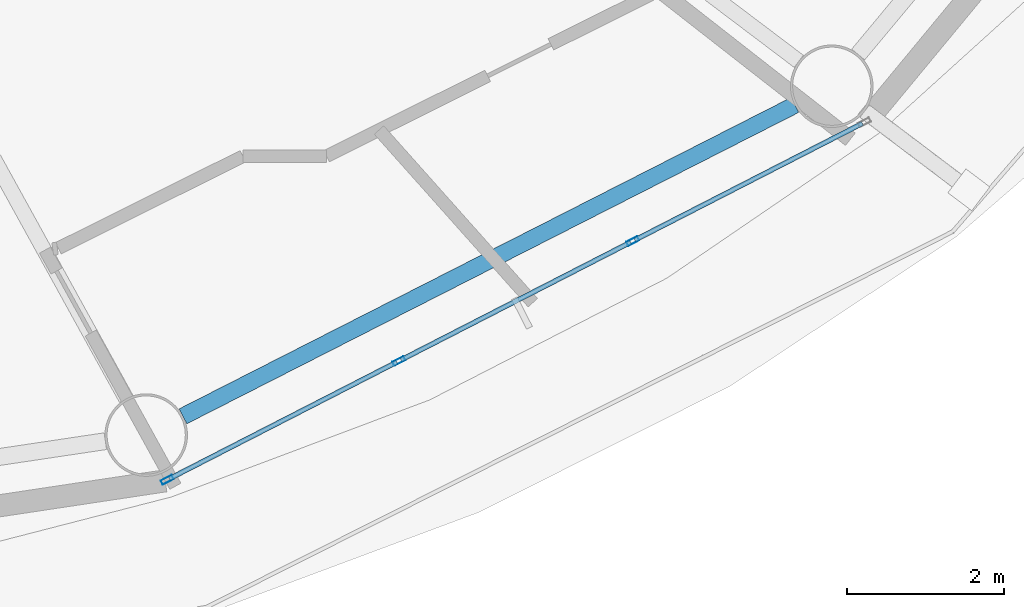
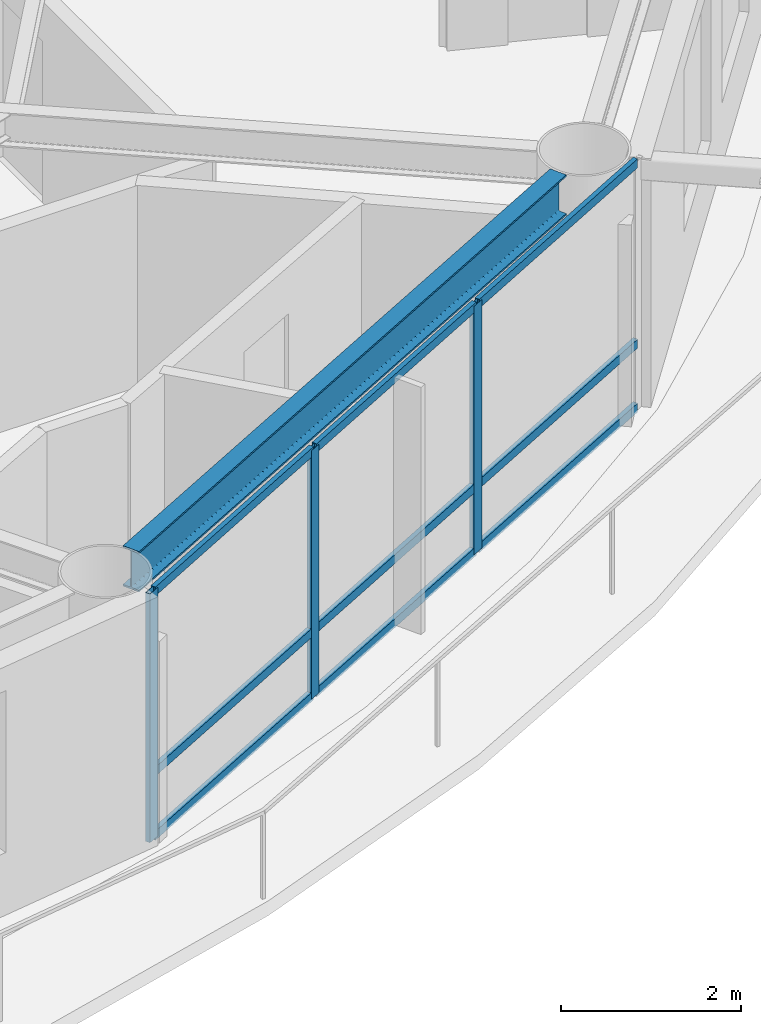
# One storey, part 5 of 30: 12 members, 1 beam, 1 element without a shape of its own.
"""IFC4 building model written with IfcOpenShell, lengths in metres."""

from ifc_helpers import new_model, si_unit, direction, frame, origin, origin_2d, place, context, subcontext, project, spatial, hollow_rectangle, i_section, extrude, material, layer, layer_set, material_profile, profile_set, type_object, element, aggregate, save


model = new_model("IFC4")

# Units and contexts
model_context = context("Model", 3, precision=1e-05, world=origin(), true_north=direction((0.0, 1.0)))
body_context = subcontext(model_context, "Body", "Model", "MODEL_VIEW")
ifc_project = project(units=[si_unit("LENGTHUNIT", "METRE"), si_unit("AREAUNIT", "SQUARE_METRE"), si_unit("VOLUMEUNIT", "CUBIC_METRE"), si_unit("PLANEANGLEUNIT", "RADIAN"), si_unit("MASSUNIT", "GRAM", prefix="KILO")], contexts=[model_context])

# Site, building, storey
site_placement = place(None, origin())
site = spatial("IfcSite", under=ifc_project, at=site_placement, CompositionType="ELEMENT")
building_placement = place(site_placement, origin())
building = spatial("IfcBuilding", under=site, at=building_placement, Name="Sarneth Arch Tower", CompositionType="ELEMENT")
storey_placement = place(building_placement, frame((0.0, 0.0, 168.60009765625)))
storey = spatial("IfcBuildingStorey", under=building, at=storey_placement, Name="L42", CompositionType="ELEMENT", Elevation=168.60009765625)

# Beam
ifc_material_1 = material(Name="Steel S355", Category="steel")
ifc_material_profile_1 = material_profile(ifc_material_1, i_section(OverallWidth=0.214111328125, OverallDepth=0.549072265625, WebThickness=0.0146484375, FlangeThickness=0.023681640625, FilletRadius=0.01806640625, at=origin_2d()), Name="W530x138")
ifc_profile_set_1 = profile_set([ifc_material_profile_1], Name="Steel S355")
beam_type = type_object("IfcBeamType", Name="BM-RAD-530A", PredefinedType="BEAM", material=ifc_profile_set_1)
beam_placement = place(storey_placement, frame((58.8896484375, 23.3447265625, 3.10546875), z_axis=(0.891254220899, 0.453504039374, 0.0), x_axis=(-0.453504039374, 0.891254220899, 0.0)))
element("IfcBeam", 1, at=beam_placement, inside=storey, type_object=beam_type, Name="L42 Perimeter spandrel beam 14", PredefinedType="BEAM", context=body_context, shape_type="SweptSolid", body=[
    extrude(i_section(OverallWidth=0.214111328125, OverallDepth=0.549072265625, WebThickness=0.0146484375, FlangeThickness=0.023681640625, FilletRadius=0.01806640625, at=origin_2d()), origin(), (0.0, 0.0, 1.0), 8.724853515625),
])

# Curtain wall, members
ifc_material_2 = material(Name="Anodised aluminium Type AA25 and solar-control low-e laminated IGU", Category="aluminium")
ifc_layer = layer(ifc_material_2, 0.169921875)
ifc_layer_set = layer_set([ifc_layer], Name="Anodised aluminium Type AA25 and solar-control low-e laminated IGU")
curtain_wall_type = type_object("IfcCurtainWallType", Name="CW-RES-MID", PredefinedType="NOTDEFINED", material=ifc_layer_set)
curtain_wall_placement = place(storey_placement, origin())
curtain_wall = element("IfcCurtainWall", 2, at=curtain_wall_placement, inside=storey, type_object=curtain_wall_type, Name="L42 Unitised curtain wall facet 14", PredefinedType="NOTDEFINED")
ifc_material_3 = material(Name="Anodised Aluminium 6063-T6", Category="aluminium")
ifc_material_profile_2 = material_profile(ifc_material_3, hollow_rectangle(XDim=0.06005859375, YDim=0.159912109375, WallThickness=0.00390625, at=origin_2d()), Name="AL-MULL-160x60x4")
ifc_profile_set_2 = profile_set([ifc_material_profile_2], Name="Anodised Aluminium 6063-T6")
member_type_1 = type_object("IfcMemberType", Name="CW-MULLION", PredefinedType="MULLION", material=ifc_profile_set_2)
member_1_placement = place(storey_placement, frame((58.689453125, 22.538330078125, 0.0), z_axis=(0.0, 0.0, 1.0), x_axis=(-0.456208470329, 0.88987293003, 0.0)))
member_1 = element("IfcMember", 3, at=member_1_placement, type_object=member_type_1, Name="CW-SYS-5 mullion 1", PredefinedType="MULLION", context=body_context, shape_type="SweptSolid", body=[
    extrude(hollow_rectangle(XDim=0.06005859375, YDim=0.159912109375, WallThickness=0.00390625, at=origin_2d()), origin(), (0.0, 0.0, 1.0), 3.3798828125),
])
member_2_placement = place(storey_placement, frame((61.634033203125, 24.0478515625, 0.0), z_axis=(0.0, 0.0, 1.0), x_axis=(-0.456208470329, 0.88987293003, 0.0)))
member_2 = element("IfcMember", 4, at=member_2_placement, type_object=member_type_1, Name="CW-SYS-5 mullion 2", PredefinedType="MULLION", context=body_context, shape_type="SweptSolid", body=[
    extrude(hollow_rectangle(XDim=0.06005859375, YDim=0.159912109375, WallThickness=0.00390625, at=origin_2d()), origin(), (0.0, 0.0, 1.0), 3.3798828125),
])
member_3_placement = place(storey_placement, frame((64.60498046875, 25.571044921875, 0.0), z_axis=(0.0, 0.0, 1.0), x_axis=(-0.456208470329, 0.88987293003, 0.0)))
member_3 = element("IfcMember", 5, at=member_3_placement, type_object=member_type_1, Name="CW-SYS-5 mullion 3", PredefinedType="MULLION", context=body_context, shape_type="SweptSolid", body=[
    extrude(hollow_rectangle(XDim=0.06005859375, YDim=0.159912109375, WallThickness=0.00390625, at=origin_2d()), origin(), (0.0, 0.0, 1.0), 3.3798828125),
])
ifc_material_4 = material(Name="Anodised Aluminium 6063-T6", Category="aluminium")
ifc_material_profile_3 = material_profile(ifc_material_4, hollow_rectangle(XDim=0.06005859375, YDim=0.1201171875, WallThickness=0.00390625, at=origin_2d()), Name="AL-TRAN-120x60x4")
ifc_profile_set_3 = profile_set([ifc_material_profile_3], Name="Anodised Aluminium 6063-T6")
member_type_2 = type_object("IfcMemberType", Name="CW-TRANSOM", PredefinedType="USERDEFINED", material=ifc_profile_set_3)
member_4_placement = place(storey_placement, frame((58.71630859375, 22.552001953125, 0.02978515625), z_axis=(0.889857362344, 0.456238835131, 0.0), x_axis=(-0.456238835131, 0.889857362344, 0.0)))
member_4 = element("IfcMember", 6, at=member_4_placement, type_object=member_type_2, Name="CW-SYS-5 transom 1.1", ObjectType="TRANSOM", PredefinedType="USERDEFINED", context=body_context, shape_type="SweptSolid", body=[
    extrude(hollow_rectangle(XDim=0.06005859375, YDim=0.1201171875, WallThickness=0.00390625, at=origin_2d()), origin(), (0.0, 0.0, 1.0), 3.248779296875),
])
member_5_placement = place(storey_placement, frame((58.71630859375, 22.552001953125, 0.89990234375), z_axis=(0.889857362344, 0.456238835131, 0.0), x_axis=(-0.456238835131, 0.889857362344, 0.0)))
member_5 = element("IfcMember", 7, at=member_5_placement, type_object=member_type_2, Name="CW-SYS-5 transom 1.2", ObjectType="TRANSOM", PredefinedType="USERDEFINED", context=body_context, shape_type="SweptSolid", body=[
    extrude(hollow_rectangle(XDim=0.06005859375, YDim=0.1201171875, WallThickness=0.00390625, at=origin_2d()), origin(), (0.0, 0.0, 1.0), 3.248779296875),
])
member_6_placement = place(storey_placement, frame((58.71630859375, 22.552001953125, 3.349853515625), z_axis=(0.889857362344, 0.456238835131, 0.0), x_axis=(-0.456238835131, 0.889857362344, 0.0)))
member_6 = element("IfcMember", 8, at=member_6_placement, type_object=member_type_2, Name="CW-SYS-5 transom 1.3", ObjectType="TRANSOM", PredefinedType="USERDEFINED", context=body_context, shape_type="SweptSolid", body=[
    extrude(hollow_rectangle(XDim=0.06005859375, YDim=0.1201171875, WallThickness=0.00390625, at=origin_2d()), origin(), (0.0, 0.0, 1.0), 3.248779296875),
])
member_7_placement = place(storey_placement, frame((61.66064453125, 24.0615234375, 0.02978515625), z_axis=(0.889869396751, 0.45621536222, 0.0), x_axis=(-0.45621536222, 0.889869396751, 0.0)))
member_7 = element("IfcMember", 9, at=member_7_placement, type_object=member_type_2, Name="CW-SYS-5 transom 2.1", ObjectType="TRANSOM", PredefinedType="USERDEFINED", context=body_context, shape_type="SweptSolid", body=[
    extrude(hollow_rectangle(XDim=0.06005859375, YDim=0.1201171875, WallThickness=0.00390625, at=origin_2d()), origin(), (0.0, 0.0, 1.0), 3.27880859375),
])
member_8_placement = place(storey_placement, frame((61.66064453125, 24.0615234375, 0.89990234375), z_axis=(0.889869396751, 0.45621536222, 0.0), x_axis=(-0.45621536222, 0.889869396751, 0.0)))
member_8 = element("IfcMember", 10, at=member_8_placement, type_object=member_type_2, Name="CW-SYS-5 transom 2.2", ObjectType="TRANSOM", PredefinedType="USERDEFINED", context=body_context, shape_type="SweptSolid", body=[
    extrude(hollow_rectangle(XDim=0.06005859375, YDim=0.1201171875, WallThickness=0.00390625, at=origin_2d()), origin(), (0.0, 0.0, 1.0), 3.27880859375),
])
member_9_placement = place(storey_placement, frame((61.66064453125, 24.0615234375, 3.349853515625), z_axis=(0.889869396751, 0.45621536222, 0.0), x_axis=(-0.45621536222, 0.889869396751, 0.0)))
member_9 = element("IfcMember", 11, at=member_9_placement, type_object=member_type_2, Name="CW-SYS-5 transom 2.3", ObjectType="TRANSOM", PredefinedType="USERDEFINED", context=body_context, shape_type="SweptSolid", body=[
    extrude(hollow_rectangle(XDim=0.06005859375, YDim=0.1201171875, WallThickness=0.00390625, at=origin_2d()), origin(), (0.0, 0.0, 1.0), 3.27880859375),
])
member_10_placement = place(storey_placement, frame((64.6318359375, 25.584716796875, 0.02978515625), z_axis=(0.889857362344, 0.456238835131, 0.0), x_axis=(-0.456238835131, 0.889857362344, 0.0)))
member_10 = element("IfcMember", 12, at=member_10_placement, type_object=member_type_2, Name="CW-SYS-5 transom 3.1", ObjectType="TRANSOM", PredefinedType="USERDEFINED", context=body_context, shape_type="SweptSolid", body=[
    extrude(hollow_rectangle(XDim=0.06005859375, YDim=0.1201171875, WallThickness=0.00390625, at=origin_2d()), origin(), (0.0, 0.0, 1.0), 3.248779296875),
])
member_11_placement = place(storey_placement, frame((64.6318359375, 25.584716796875, 0.89990234375), z_axis=(0.889857362344, 0.456238835131, 0.0), x_axis=(-0.456238835131, 0.889857362344, 0.0)))
member_11 = element("IfcMember", 13, at=member_11_placement, type_object=member_type_2, Name="CW-SYS-5 transom 3.2", ObjectType="TRANSOM", PredefinedType="USERDEFINED", context=body_context, shape_type="SweptSolid", body=[
    extrude(hollow_rectangle(XDim=0.06005859375, YDim=0.1201171875, WallThickness=0.00390625, at=origin_2d()), origin(), (0.0, 0.0, 1.0), 3.248779296875),
])
member_12_placement = place(storey_placement, frame((64.6318359375, 25.584716796875, 3.349853515625), z_axis=(0.889857362344, 0.456238835131, 0.0), x_axis=(-0.456238835131, 0.889857362344, 0.0)))
member_12 = element("IfcMember", 14, at=member_12_placement, type_object=member_type_2, Name="CW-SYS-5 transom 3.3", ObjectType="TRANSOM", PredefinedType="USERDEFINED", context=body_context, shape_type="SweptSolid", body=[
    extrude(hollow_rectangle(XDim=0.06005859375, YDim=0.1201171875, WallThickness=0.00390625, at=origin_2d()), origin(), (0.0, 0.0, 1.0), 3.248779296875),
])
aggregate(curtain_wall, [member_1, member_2, member_3, member_4, member_5, member_6, member_7, member_8, member_9, member_10, member_11, member_12])

save(model, "model.ifc")
